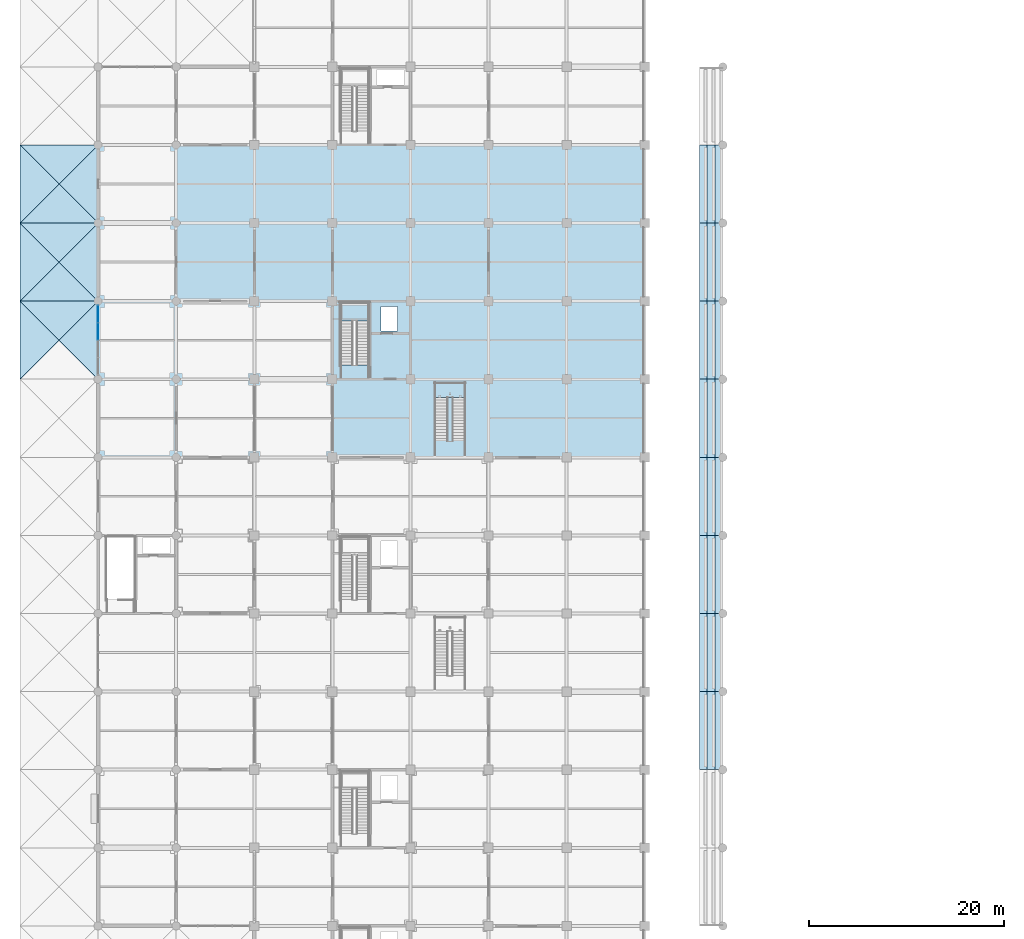
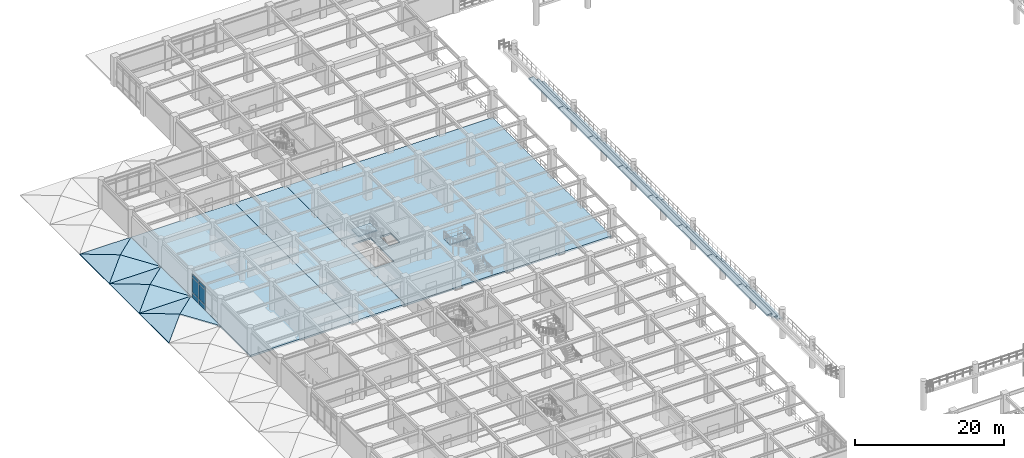
# One storey, part 57 of 109: 40 slabs, 6 plates, 3 elements without a shape of their own.
"""IFC4 building model written with IfcOpenShell, lengths in metres."""

import ifcopenshell
import ifcopenshell.guid

model = None  # the IFC model being written
_history = None  # IfcOwnerHistory: only IFC2X3 demands one
_inside = {}  # id of a spatial element -> (the spatial element, [elements in it])
_under = {}  # id of a project, library or spatial element -> (it, [spatial elements below it])
_declared = {}  # id of a project -> (the project, [libraries it declares])
_typed = {}  # id of a type object -> (the type object, [elements of that type])
_made_of = {}  # id of a material, layer set ... -> (it, [elements and type objects made of it])


def new_model(schema):
    """Start an empty IFC model of exactly this schema.

    Asked for "IFC4X3", IfcOpenShell would pick the latest addendum, in which some entities
    have other attributes; the version numbers below select the first issue.
    IFC2X3 requires an IfcOwnerHistory on every rooted entity: one is made here for all.
    """
    global model, _history
    if schema == "IFC4X3":
        model = ifcopenshell.file(schema_version=(4, 3, 0, 0))
    else:
        model = ifcopenshell.file(schema=schema)
    _inside.clear()
    _under.clear()
    _declared.clear()
    _typed.clear()
    _made_of.clear()
    _history = None
    if model.schema == "IFC2X3":
        org = make("IfcOrganization", Name="unknown")
        user = make(
            "IfcPersonAndOrganization",
            ThePerson=make("IfcPerson", FamilyName="unknown"),
            TheOrganization=org,
        )
        app = make(
            "IfcApplication",
            ApplicationDeveloper=org,
            Version="unknown",
            ApplicationFullName="unknown",
            ApplicationIdentifier="unknown",
        )
        _history = make(
            "IfcOwnerHistory",
            OwningUser=user,
            OwningApplication=app,
            ChangeAction="ADDED",
            CreationDate=0,
        )
    return model


def make(cls, **values):
    """One entity of the class cls with the attributes given. An attribute that is None is left unset."""
    return model.create_entity(
        cls, **{name: value for name, value in values.items() if value is not None}
    )


def rooted(cls, **values):
    """An entity with a GlobalId (a new one), such as an element, a storey or a relation."""
    return make(cls, GlobalId=ifcopenshell.guid.new(), OwnerHistory=_history, **values)


def si_unit(unit_type, name, prefix=None):
    """IfcSIUnit, for example si_unit("LENGTHUNIT", "METRE", prefix="MILLI")."""
    return make("IfcSIUnit", UnitType=unit_type, Prefix=prefix, Name=name)


def assignment(units):
    """IfcUnitAssignment: the units of a project."""
    return None if units is None else make("IfcUnitAssignment", Units=units)


def point(xyz):
    """IfcCartesianPoint."""
    return None if xyz is None else make("IfcCartesianPoint", Coordinates=xyz)


def direction(xyz):
    """IfcDirection."""
    return None if xyz is None else make("IfcDirection", DirectionRatios=xyz)


def frame(location, z_axis=None, x_axis=None):
    """IfcAxis2Placement3D, a coordinate frame: its origin and axes. An axis left out is left unset."""
    return make(
        "IfcAxis2Placement3D",
        Location=point(location),
        Axis=direction(z_axis),
        RefDirection=direction(x_axis),
    )


def frame_2d(location, x_axis=None):
    """IfcAxis2Placement2D, a coordinate frame in the plane: its origin and x axis."""
    return make(
        "IfcAxis2Placement2D", Location=point(location), RefDirection=direction(x_axis)
    )


def origin():
    """The frame at (0, 0, 0) with its axes left unset."""
    return frame((0.0, 0.0, 0.0))


def origin_2d():
    """The frame at (0, 0) in the plane with its x axis left unset."""
    return frame_2d((0.0, 0.0))


def place(relative_to, where):
    """IfcLocalPlacement: puts the frame where relative to a parent placement (None: the world)."""
    return make(
        "IfcLocalPlacement", PlacementRelTo=relative_to, RelativePlacement=where
    )


def context(
    kind, dimensions, precision=None, world=None, true_north=None, identifier=None
):
    """IfcGeometricRepresentationContext, for example the 3D "Model" context."""
    return make(
        "IfcGeometricRepresentationContext",
        ContextIdentifier=identifier,
        ContextType=kind,
        CoordinateSpaceDimension=dimensions,
        Precision=precision,
        WorldCoordinateSystem=world,
        TrueNorth=true_north,
    )


def subcontext(parent, identifier, kind, view, scale=None):
    """IfcGeometricRepresentationSubContext, for example "Body" below "Model"."""
    return make(
        "IfcGeometricRepresentationSubContext",
        ContextIdentifier=identifier,
        ContextType=kind,
        ParentContext=parent,
        TargetScale=scale,
        TargetView=view,
    )


def project(units=None, contexts=None):
    """IfcProject with its units and contexts."""
    return rooted(
        "IfcProject",
        Name="project",
        RepresentationContexts=contexts,
        UnitsInContext=assignment(units),
    )


def spatial(cls, under=None, at=None, **own):
    """A site, building, storey or space (cls), placed at a placement, below another one or the project."""
    s = rooted(cls, ObjectPlacement=at, **own)
    if under is not None:
        _under.setdefault(under.id(), (under, []))[1].append(s)
    return s


def polyline(points):
    """IfcPolyline through the points."""
    return make("IfcPolyline", Points=[point(p) for p in points])


def profile(cls, at=None, kind="AREA", **sizes):
    """A parametric profile (cls). Its sizes go by their IFC names, for example OverallWidth=200.0."""
    return make(cls, ProfileType=kind, Position=at, **sizes)


def rectangle(**sizes):
    """IfcRectangleProfileDef."""
    return profile("IfcRectangleProfileDef", **sizes)


def outline(outer, holes=None, kind="AREA"):
    """IfcArbitraryClosedProfileDef: a profile drawn as a closed curve; with holes, ...WithVoids."""
    if holes is None:
        return make("IfcArbitraryClosedProfileDef", ProfileType=kind, OuterCurve=outer)
    return make(
        "IfcArbitraryProfileDefWithVoids",
        ProfileType=kind,
        OuterCurve=outer,
        InnerCurves=holes,
    )


def extrude(swept, where, along, depth):
    """IfcExtrudedAreaSolid: the profile swept, set in the frame where, extruded along a direction by depth."""
    return make(
        "IfcExtrudedAreaSolid",
        SweptArea=swept,
        Position=where,
        ExtrudedDirection=direction(along),
        Depth=depth,
    )


def shape(context_of_items, identifier, shape_type, items):
    """IfcShapeRepresentation: the items that make up one representation, for example the "Body"."""
    return make(
        "IfcShapeRepresentation",
        ContextOfItems=context_of_items,
        RepresentationIdentifier=identifier,
        RepresentationType=shape_type,
        Items=items,
    )


def material(Name=None, Category=None):
    """IfcMaterial."""
    return make("IfcMaterial", Name=Name, Category=Category)


def layer(
    of_material, thickness, ventilated=None, Name=None, Category=None, Priority=None
):
    """IfcMaterialLayer: one layer of a wall or slab, of a material (None: an air gap)."""
    return make(
        "IfcMaterialLayer",
        Material=of_material,
        LayerThickness=thickness,
        IsVentilated=ventilated,
        Name=Name,
        Category=Category,
        Priority=Priority,
    )


def layer_set(layers, Name=None):
    """IfcMaterialLayerSet."""
    return make("IfcMaterialLayerSet", MaterialLayers=layers, LayerSetName=Name)


def made_of(thing, what):
    """Note that an element or type object is made of a material, layer set ...; save() writes the relation."""
    if what is not None:
        _made_of.setdefault(what.id(), (what, []))[1].append(thing)
    return thing


def type_object(cls, material=None, **own):
    """A type object (cls), such as IfcWallType, which elements share."""
    return made_of(rooted(cls, **own), material)


def element(
    cls,
    number,
    at=None,
    inside=None,
    cuts=None,
    type_object=None,
    material=None,
    context=None,
    identifier="Body",
    shape_type=None,
    held_by="IfcProductDefinitionShape",
    body=None,
    shapes=None,
    **own,
):
    """One element of the class cls, such as IfcWall. Its Tag is "e" and its number.

    at: its placement. inside: the storey or other place that contains it. cuts: it is an
    opening in that element (IfcRelVoidsElement). A single representation is given by context,
    identifier, shape_type and body (its items); several are given by shapes. held_by: the class
    of the entity that holds the representations. save() writes the other relations.
    """
    e = rooted(cls, Tag="e%d" % number, ObjectPlacement=at, **own)
    if body is not None:
        shapes = [shape(context, identifier, shape_type, body)]
    if shapes is not None:
        e.Representation = make(held_by, Representations=shapes)
    if inside is not None:
        _inside.setdefault(inside.id(), (inside, []))[1].append(e)
    if cuts is not None:
        rooted(
            "IfcRelVoidsElement", RelatingBuildingElement=cuts, RelatedOpeningElement=e
        )
    if type_object is not None:
        _typed.setdefault(type_object.id(), (type_object, []))[1].append(e)
    return made_of(e, material)


def aggregate(whole, parts):
    """IfcRelAggregates: a whole, such as a stair, and the parts it consists of."""
    return rooted("IfcRelAggregates", RelatingObject=whole, RelatedObjects=parts)


def save(model, path):
    """Write the relations noted so far, then the file.

    IfcRelAggregates (storeys below a building ...), IfcRelContainedInSpatialStructure (elements
    in a storey), IfcRelDefinesByType, IfcRelAssociatesMaterial and IfcRelDeclares: one each for
    every whole, place, type object, material and project.
    """
    for whole, parts in _under.values():
        aggregate(whole, parts)
    for where, things in _inside.values():
        rooted(
            "IfcRelContainedInSpatialStructure",
            RelatedElements=things,
            RelatingStructure=where,
        )
    for kind, things in _typed.values():
        rooted("IfcRelDefinesByType", RelatedObjects=things, RelatingType=kind)
    for what, things in _made_of.values():
        rooted("IfcRelAssociatesMaterial", RelatedObjects=things, RelatingMaterial=what)
    for by, libraries in _declared.values():
        rooted("IfcRelDeclares", RelatingContext=by, RelatedDefinitions=libraries)
    model.write(path)


model = new_model("IFC4")

# Units and contexts
model_context = context("Model", 3, precision=1e-05, world=origin(), true_north=direction((0.0, 1.0)))
body_context = subcontext(model_context, "Body", "Model", "MODEL_VIEW")
ifc_project = project(units=[si_unit("LENGTHUNIT", "METRE"), si_unit("AREAUNIT", "SQUARE_METRE"), si_unit("VOLUMEUNIT", "CUBIC_METRE"), si_unit("PLANEANGLEUNIT", "RADIAN"), si_unit("MASSUNIT", "GRAM", prefix="KILO")], contexts=[model_context])

# Site, building, storey
site_placement = place(None, origin())
site = spatial("IfcSite", under=ifc_project, at=site_placement, CompositionType="ELEMENT")
building_placement = place(site_placement, origin())
building = spatial("IfcBuilding", under=site, at=building_placement, Name="Haebicheon Civic Stadium", CompositionType="ELEMENT")
storey_placement = place(building_placement, frame((0.0, 0.0, 9.60009765625)))
storey = spatial("IfcBuildingStorey", under=building, at=storey_placement, Name="L03", CompositionType="ELEMENT", Elevation=9.60009765625)

# Curtain wall, plates
ifc_material_1 = material(Name="Anodised aluminium and laminated glass", Category="aluminium")
ifc_layer_1 = layer(ifc_material_1, 0.179931640625, Name="Anodised aluminium and laminated glass")
ifc_layer_set_1 = layer_set([ifc_layer_1], Name="Anodised aluminium and laminated glass")
curtain_wall_type = type_object("IfcCurtainWallType", Name="CW-7150x3950", PredefinedType="NOTDEFINED", material=ifc_layer_set_1)
curtain_wall_placement = place(storey_placement, origin())
curtain_wall = element("IfcCurtainWall", 1, at=curtain_wall_placement, inside=storey, type_object=curtain_wall_type, material=ifc_layer_set_1, Name="L03 unitised curtain wall 070", PredefinedType="NOTDEFINED")
ifc_material_2 = material(Name="Double low-e laminated glass", Category="glass")
ifc_layer_2 = layer(ifc_material_2, 0.028076171875, Name="Double low-e laminated glass")
ifc_layer_set_2 = layer_set([ifc_layer_2], Name="Double low-e laminated glass")
plate_type_1 = type_object("IfcPlateType", Name="CWP-GLZ-28", PredefinedType="CURTAIN_PANEL", material=ifc_layer_set_2)
plate_1_placement = place(storey_placement, frame((8.0, 108.89404296875, 0.93505859375), z_axis=(0.0, 0.0, 1.0), x_axis=(0.0, 1.0, 0.0)))
plate_1 = element("IfcPlate", 2, at=plate_1_placement, type_object=plate_type_1, material=ifc_layer_set_2, Name="CW-L03-070 vision panel 3.2", PredefinedType="CURTAIN_PANEL", context=body_context, shape_type="SweptSolid", body=[
    extrude(rectangle(XDim=1.718017578125, YDim=0.028076171875, at=origin_2d()), origin(), (0.0, 0.0, 1.0), 2.429931640625),
])
plate_2_placement = place(storey_placement, frame((8.0, 110.6640625, 0.93505859375), z_axis=(0.0, 0.0, 1.0), x_axis=(0.0, 1.0, 0.0)))
plate_2 = element("IfcPlate", 3, at=plate_2_placement, type_object=plate_type_1, material=ifc_layer_set_2, Name="CW-L03-070 vision panel 4.2", PredefinedType="CURTAIN_PANEL", context=body_context, shape_type="SweptSolid", body=[
    extrude(rectangle(XDim=1.681884765625, YDim=0.028076171875, at=origin_2d()), origin(), (0.0, 0.0, 1.0), 2.429931640625),
])
ifc_material_3 = material(Name="Anodised aluminium 6063-T6", Category="aluminium")
ifc_layer_3 = layer(ifc_material_3, 0.0439453125, Name="Anodised aluminium 6063-T6")
ifc_layer_set_3 = layer_set([ifc_layer_3], Name="Anodised aluminium 6063-T6")
plate_type_2 = type_object("IfcPlateType", Name="CWP-SPD-44", PredefinedType="CURTAIN_PANEL", material=ifc_layer_set_3)
plate_3_placement = place(storey_placement, frame((8.0, 108.89404296875, 0.034912109375), z_axis=(0.0, 0.0, 1.0), x_axis=(0.0, 1.0, 0.0)))
plate_3 = element("IfcPlate", 4, at=plate_3_placement, type_object=plate_type_2, material=ifc_layer_set_3, Name="CW-L03-070 spandrel panel 3.1", PredefinedType="CURTAIN_PANEL", context=body_context, shape_type="SweptSolid", body=[
    extrude(rectangle(XDim=1.718017578125, YDim=0.0439453125, at=origin_2d()), origin(), (0.0, 0.0, 1.0), 0.830078125),
])
plate_4_placement = place(storey_placement, frame((8.0, 108.89404296875, 3.434814453125), z_axis=(0.0, 0.0, 1.0), x_axis=(0.0, 1.0, 0.0)))
plate_4 = element("IfcPlate", 5, at=plate_4_placement, type_object=plate_type_2, material=ifc_layer_set_3, Name="CW-L03-070 spandrel panel 3.3", PredefinedType="CURTAIN_PANEL", context=body_context, shape_type="SweptSolid", body=[
    extrude(rectangle(XDim=1.718017578125, YDim=0.0439453125, at=origin_2d()), origin(), (0.0, 0.0, 1.0), 0.47998046875),
])
plate_5_placement = place(storey_placement, frame((8.0, 110.6640625, 0.034912109375), z_axis=(0.0, 0.0, 1.0), x_axis=(0.0, 1.0, 0.0)))
plate_5 = element("IfcPlate", 6, at=plate_5_placement, type_object=plate_type_2, material=ifc_layer_set_3, Name="CW-L03-070 spandrel panel 4.1", PredefinedType="CURTAIN_PANEL", context=body_context, shape_type="SweptSolid", body=[
    extrude(rectangle(XDim=1.681884765625, YDim=0.0439453125, at=origin_2d()), origin(), (0.0, 0.0, 1.0), 0.830078125),
])
plate_6_placement = place(storey_placement, frame((8.0, 110.6640625, 3.434814453125), z_axis=(0.0, 0.0, 1.0), x_axis=(0.0, 1.0, 0.0)))
plate_6 = element("IfcPlate", 7, at=plate_6_placement, type_object=plate_type_2, material=ifc_layer_set_3, Name="CW-L03-070 spandrel panel 4.3", PredefinedType="CURTAIN_PANEL", context=body_context, shape_type="SweptSolid", body=[
    extrude(rectangle(XDim=1.681884765625, YDim=0.0439453125, at=origin_2d()), origin(), (0.0, 0.0, 1.0), 0.47998046875),
])
aggregate(curtain_wall, [plate_3, plate_1, plate_4, plate_5, plate_2, plate_6])

# Slabs
ifc_material_4 = material(Name="Concrete C40/50", Category="concrete")
ifc_layer_4 = layer(ifc_material_4, 0.280029296875, Name="Concrete C40/50")
ifc_layer_set_4 = layer_set([ifc_layer_4], Name="Concrete C40/50")
slab_type_1 = type_object("IfcSlabType", Name="SLB-FLR-280", PredefinedType="FLOOR", material=ifc_layer_set_4)
slab_1_placement = place(storey_placement, frame((0.0, 0.0, -0.280029296875)))
element("IfcSlab", 8, at=slab_1_placement, inside=storey, type_object=slab_type_1, material=ifc_layer_set_4, Name="L03 V1 structural slab 3.1", PredefinedType="FLOOR", context=body_context, shape_type="SweptSolid", body=[
    extrude(outline(polyline([(24.0, 96.0), (24.0, 104.0), (24.0, 112.0), (24.0, 120.0), (24.0, 128.0), (32.0, 128.0), (32.0, 120.0), (32.0, 112.0), (32.0, 104.0), (32.0, 96.0), (24.0, 96.0)])), origin(), (0.0, 0.0, 1.0), 0.280029296875),
])
slab_2_placement = place(storey_placement, frame((0.0, 0.0, -0.280029296875)))
element("IfcSlab", 9, at=slab_2_placement, inside=storey, type_object=slab_type_1, material=ifc_layer_set_4, Name="L03 V1 structural slab 7.1", PredefinedType="FLOOR", context=body_context, shape_type="SweptSolid", body=[
    extrude(outline(polyline([(32.0, 120.0), (32.0, 128.0), (40.0, 128.0), (48.0, 128.0), (56.0, 128.0), (64.0, 128.0), (64.0, 120.0), (64.0, 112.0), (64.0, 104.0), (64.0, 96.0), (56.0, 96.0), (48.0, 96.0), (40.0, 96.0), (32.0, 96.0), (32.0, 104.0), (32.0, 112.0), (32.0, 120.0)]), holes=[polyline([(32.840087890625, 105.4599609375), (35.739990234375, 105.4599609375), (35.739990234375, 111.840087890625), (32.840087890625, 111.840087890625), (32.840087890625, 105.4599609375)]), polyline([(36.969970703125, 108.929931640625), (38.669921875, 108.929931640625), (38.669921875, 111.429931640625), (36.969970703125, 111.429931640625), (36.969970703125, 108.929931640625)])]), origin(), (0.0, 0.0, 1.0), 0.280029296875),
])
slab_3_placement = place(storey_placement, frame((0.0, 0.0, -0.280029296875)))
element("IfcSlab", 10, at=slab_3_placement, inside=storey, type_object=slab_type_1, material=ifc_layer_set_4, Name="L03 V5 structural slab 3.1", PredefinedType="FLOOR", context=body_context, shape_type="SweptSolid", body=[
    extrude(outline(polyline([(8.0, 112.0), (8.0, 120.0), (8.0, 128.0), (16.0, 128.0), (24.0, 128.0), (24.0, 120.0), (24.0, 112.0), (24.0, 104.0), (24.0, 96.0), (16.0, 96.0), (8.0, 96.0), (8.0, 104.0), (8.0, 112.0)])), origin(), (0.0, 0.0, 1.0), 0.280029296875),
])

# Stair, slab
ifc_material_5 = material(Name="Concrete C40/50", Category="concrete")
stair_type_1 = type_object("IfcStairType", Name="STR-DL-W128-H48", PredefinedType="HALF_TURN_STAIR", material=ifc_material_5)
stair_1_placement = place(storey_placement, origin())
stair_1 = element("IfcStair", 11, at=stair_1_placement, inside=storey, type_object=stair_type_1, material=ifc_material_5, Name="L03 Escape stair ST-04", PredefinedType="HALF_TURN_STAIR")
ifc_material_6 = material(Name="Concrete C40/50", Category="concrete")
ifc_layer_5 = layer(ifc_material_6, 0.199951171875, Name="Concrete C40/50")
ifc_layer_set_5 = layer_set([ifc_layer_5], Name="Concrete C40/50")
slab_type_2 = type_object("IfcSlabType", Name="SLB-LND-200", PredefinedType="LANDING", material=ifc_layer_set_5)
slab_4_placement = place(storey_placement, frame((0.0, 0.0, 2.199951171875)))
slab_4 = element("IfcSlab", 12, at=slab_4_placement, type_object=slab_type_2, material=ifc_layer_set_5, Name="ST-04 landing 1", PredefinedType="LANDING", context=body_context, shape_type="SweptSolid", body=[
    extrude(outline(polyline([(35.739990234375, 109.949951171875), (35.739990234375, 111.840087890625), (32.840087890625, 111.840087890625), (32.840087890625, 109.949951171875), (35.739990234375, 109.949951171875)])), origin(), (0.0, 0.0, 1.0), 0.199951171875),
])
aggregate(stair_1, [slab_4])

ifc_material_7 = material(Name="Concrete C40/50", Category="concrete")
stair_type_2 = type_object("IfcStairType", Name="STR-DL-W136-H48", PredefinedType="HALF_TURN_STAIR", material=ifc_material_7)
stair_2_placement = place(storey_placement, origin())
stair_2 = element("IfcStair", 13, at=stair_2_placement, inside=storey, type_object=stair_type_2, material=ifc_material_7, Name="Vomitory stair VM-05 (L03)", PredefinedType="HALF_TURN_STAIR")
slab_5_placement = place(storey_placement, frame((0.0, 0.0, 2.199951171875)))
slab_5 = element("IfcSlab", 14, at=slab_5_placement, type_object=slab_type_2, material=ifc_layer_set_5, Name="VM-05 landing 1", PredefinedType="LANDING", context=body_context, shape_type="SweptSolid", body=[
    extrude(outline(polyline([(45.639892578125, 102.14990234375), (45.639892578125, 103.64990234375), (42.4599609375, 103.64990234375), (42.4599609375, 102.14990234375), (45.639892578125, 102.14990234375)])), origin(), (0.0, 0.0, 1.0), 0.199951171875),
])
aggregate(stair_2, [slab_5])

# Slabs
ifc_material_8 = material(Name="Precast concrete C40/50", Category="concrete")
ifc_layer_6 = layer(ifc_material_8, 0.169921875, Name="Precast concrete C40/50")
ifc_layer_set_6 = layer_set([ifc_layer_6], Name="Precast concrete C40/50")
slab_type_3 = type_object("IfcSlabType", Name="SLB-ROOF-170", PredefinedType="ROOF", material=ifc_layer_set_6)
for number, where, z_axis, x_axis, name in (
    (15, (8.0, 104.0, 0.02001953125), (0.21948952406, 0.0, 0.97561485681), (0.0, 1.0, 0.0), "L03 V5 folded shell roof facet 9.E"),
    (16, (8.0, 112.0, 0.02001953125), (0.0, 0.21948952406, 0.97561485681), (-1.0, 0.0, 0.0), "L03 V5 folded shell roof facet 9.N"),
    (17, (0.0, 112.0, 0.02001953125), (-0.21948952406, 0.0, 0.97561485681), (0.0, -1.0, 0.0), "L03 V5 folded shell roof facet 9.W"),
    (18, (0.0, 112.0, 0.02001953125), (0.0, -0.21948952406, 0.97561485681), (1.0, 0.0, 0.0), "L03 V5 folded shell roof facet 10.S"),
    (19, (8.0, 112.0, 0.02001953125), (0.21948952406, 0.0, 0.97561485681), (0.0, 1.0, 0.0), "L03 V5 folded shell roof facet 10.E"),
    (20, (8.0, 120.0, 0.02001953125), (0.0, 0.21948952406, 0.97561485681), (-1.0, 0.0, 0.0), "L03 V5 folded shell roof facet 10.N"),
    (21, (0.0, 120.0, 0.02001953125), (-0.21948952406, 0.0, 0.97561485681), (0.0, -1.0, 0.0), "L03 V5 folded shell roof facet 10.W"),
    (22, (0.0, 120.0, 0.02001953125), (0.0, -0.21948952406, 0.97561485681), (1.0, 0.0, 0.0), "L03 V5 folded shell roof facet 11.S"),
    (23, (8.0, 120.0, 0.02001953125), (0.21948952406, 0.0, 0.97561485681), (0.0, 1.0, 0.0), "L03 V5 folded shell roof facet 11.E"),
    (24, (8.0, 128.0, 0.02001953125), (0.0, 0.21948952406, 0.97561485681), (-1.0, 0.0, 0.0), "L03 V5 folded shell roof facet 11.N"),
    (25, (0.0, 128.0, 0.02001953125), (-0.21948952406, 0.0, 0.97561485681), (0.0, -1.0, 0.0), "L03 V5 folded shell roof facet 11.W"),
):
    element("IfcSlab", number, at=place(storey_placement, frame(where, z_axis=z_axis, x_axis=x_axis)), inside=storey, type_object=slab_type_3, material=ifc_layer_set_6, Name=name, PredefinedType="ROOF", context=body_context, shape_type="SweptSolid", body=[
        extrude(outline(polyline([(0.0, 0.0), (8.0, 0.0), (4.0, 4.099978564369178), (0.0, 0.0)])), origin(), (0.0, 0.0, -1.0), 0.169921875),
    ])
ifc_material_9 = material(Name="Precast concrete C40/50", Category="concrete")
ifc_layer_7 = layer(ifc_material_9, 0.239990234375, Name="Precast concrete C40/50")
ifc_layer_set_7 = layer_set([ifc_layer_7], Name="Precast concrete C40/50")
slab_type_4 = type_object("IfcSlabType", Name="SLB-TIER-240", PredefinedType="USERDEFINED", material=ifc_layer_set_7)
slab_6_placement = place(storey_placement, frame((0.0, 0.0, 2.9599609375)))
element("IfcSlab", 26, at=slab_6_placement, inside=storey, type_object=slab_type_4, material=ifc_layer_set_7, Name="TIER-W-U precast seating tier bay 3 row-band 1", ObjectType="SEATING TIER", PredefinedType="USERDEFINED", context=body_context, shape_type="SweptSolid", body=[
    extrude(outline(polyline([(71.199951171875, 64.0), (72.0, 64.0), (72.0, 72.0), (71.199951171875, 72.0), (71.199951171875, 64.0)])), origin(), (0.0, 0.0, 1.0), 0.239990234375),
])
slab_7_placement = place(storey_placement, frame((0.0, 0.0, 3.60400390625)))
element("IfcSlab", 27, at=slab_7_placement, inside=storey, type_object=slab_type_4, material=ifc_layer_set_7, Name="TIER-W-U precast seating tier bay 3 row-band 2", ObjectType="SEATING TIER", PredefinedType="USERDEFINED", context=body_context, shape_type="SweptSolid", body=[
    extrude(outline(polyline([(70.39990234375, 64.0), (71.199951171875, 64.0), (71.199951171875, 72.0), (70.39990234375, 72.0), (70.39990234375, 64.0)])), origin(), (0.0, 0.0, 1.0), 0.239990234375),
])
slab_8_placement = place(storey_placement, frame((0.0, 0.0, 4.2490234375)))
element("IfcSlab", 28, at=slab_8_placement, inside=storey, type_object=slab_type_4, material=ifc_layer_set_7, Name="TIER-W-U precast seating tier bay 3 row-band 3", ObjectType="SEATING TIER", PredefinedType="USERDEFINED", context=body_context, shape_type="SweptSolid", body=[
    extrude(outline(polyline([(69.60009765625, 64.0), (70.39990234375, 64.0), (70.39990234375, 72.0), (69.60009765625, 72.0), (69.60009765625, 64.0)])), origin(), (0.0, 0.0, 1.0), 0.239990234375),
])
slab_9_placement = place(storey_placement, frame((0.0, 0.0, 2.9599609375)))
element("IfcSlab", 29, at=slab_9_placement, inside=storey, type_object=slab_type_4, material=ifc_layer_set_7, Name="TIER-W-U precast seating tier bay 4 row-band 1", ObjectType="SEATING TIER", PredefinedType="USERDEFINED", context=body_context, shape_type="SweptSolid", body=[
    extrude(outline(polyline([(71.199951171875, 72.0), (72.0, 72.0), (72.0, 80.0), (71.199951171875, 80.0), (71.199951171875, 72.0)])), origin(), (0.0, 0.0, 1.0), 0.239990234375),
])
slab_10_placement = place(storey_placement, frame((0.0, 0.0, 3.60400390625)))
element("IfcSlab", 30, at=slab_10_placement, inside=storey, type_object=slab_type_4, material=ifc_layer_set_7, Name="TIER-W-U precast seating tier bay 4 row-band 2", ObjectType="SEATING TIER", PredefinedType="USERDEFINED", context=body_context, shape_type="SweptSolid", body=[
    extrude(outline(polyline([(70.39990234375, 72.0), (71.199951171875, 72.0), (71.199951171875, 80.0), (70.39990234375, 80.0), (70.39990234375, 72.0)])), origin(), (0.0, 0.0, 1.0), 0.239990234375),
])
slab_11_placement = place(storey_placement, frame((0.0, 0.0, 4.2490234375)))
element("IfcSlab", 31, at=slab_11_placement, inside=storey, type_object=slab_type_4, material=ifc_layer_set_7, Name="TIER-W-U precast seating tier bay 4 row-band 3", ObjectType="SEATING TIER", PredefinedType="USERDEFINED", context=body_context, shape_type="SweptSolid", body=[
    extrude(outline(polyline([(69.60009765625, 72.0), (70.39990234375, 72.0), (70.39990234375, 80.0), (69.60009765625, 80.0), (69.60009765625, 72.0)])), origin(), (0.0, 0.0, 1.0), 0.239990234375),
])
slab_12_placement = place(storey_placement, frame((0.0, 0.0, 2.9599609375)))
element("IfcSlab", 32, at=slab_12_placement, inside=storey, type_object=slab_type_4, material=ifc_layer_set_7, Name="TIER-W-U precast seating tier bay 5 row-band 1", ObjectType="SEATING TIER", PredefinedType="USERDEFINED", context=body_context, shape_type="SweptSolid", body=[
    extrude(outline(polyline([(71.199951171875, 80.0), (72.0, 80.0), (72.0, 88.0), (71.199951171875, 88.0), (71.199951171875, 80.0)])), origin(), (0.0, 0.0, 1.0), 0.239990234375),
])
slab_13_placement = place(storey_placement, frame((0.0, 0.0, 3.60400390625)))
element("IfcSlab", 33, at=slab_13_placement, inside=storey, type_object=slab_type_4, material=ifc_layer_set_7, Name="TIER-W-U precast seating tier bay 5 row-band 2", ObjectType="SEATING TIER", PredefinedType="USERDEFINED", context=body_context, shape_type="SweptSolid", body=[
    extrude(outline(polyline([(70.39990234375, 80.0), (71.199951171875, 80.0), (71.199951171875, 88.0), (70.39990234375, 88.0), (70.39990234375, 80.0)])), origin(), (0.0, 0.0, 1.0), 0.239990234375),
])
slab_14_placement = place(storey_placement, frame((0.0, 0.0, 4.2490234375)))
element("IfcSlab", 34, at=slab_14_placement, inside=storey, type_object=slab_type_4, material=ifc_layer_set_7, Name="TIER-W-U precast seating tier bay 5 row-band 3", ObjectType="SEATING TIER", PredefinedType="USERDEFINED", context=body_context, shape_type="SweptSolid", body=[
    extrude(outline(polyline([(69.60009765625, 80.0), (70.39990234375, 80.0), (70.39990234375, 88.0), (69.60009765625, 88.0), (69.60009765625, 80.0)])), origin(), (0.0, 0.0, 1.0), 0.239990234375),
])
slab_15_placement = place(storey_placement, frame((0.0, 0.0, 2.9599609375)))
element("IfcSlab", 35, at=slab_15_placement, inside=storey, type_object=slab_type_4, material=ifc_layer_set_7, Name="TIER-W-U precast seating tier bay 6 row-band 1", ObjectType="SEATING TIER", PredefinedType="USERDEFINED", context=body_context, shape_type="SweptSolid", body=[
    extrude(outline(polyline([(71.199951171875, 88.0), (72.0, 88.0), (72.0, 96.0), (71.199951171875, 96.0), (71.199951171875, 88.0)])), origin(), (0.0, 0.0, 1.0), 0.239990234375),
])
slab_16_placement = place(storey_placement, frame((0.0, 0.0, 3.60400390625)))
element("IfcSlab", 36, at=slab_16_placement, inside=storey, type_object=slab_type_4, material=ifc_layer_set_7, Name="TIER-W-U precast seating tier bay 6 row-band 2", ObjectType="SEATING TIER", PredefinedType="USERDEFINED", context=body_context, shape_type="SweptSolid", body=[
    extrude(outline(polyline([(70.39990234375, 88.0), (71.199951171875, 88.0), (71.199951171875, 96.0), (70.39990234375, 96.0), (70.39990234375, 88.0)])), origin(), (0.0, 0.0, 1.0), 0.239990234375),
])
slab_17_placement = place(storey_placement, frame((0.0, 0.0, 4.2490234375)))
element("IfcSlab", 37, at=slab_17_placement, inside=storey, type_object=slab_type_4, material=ifc_layer_set_7, Name="TIER-W-U precast seating tier bay 6 row-band 3", ObjectType="SEATING TIER", PredefinedType="USERDEFINED", context=body_context, shape_type="SweptSolid", body=[
    extrude(outline(polyline([(69.60009765625, 88.0), (70.39990234375, 88.0), (70.39990234375, 96.0), (69.60009765625, 96.0), (69.60009765625, 88.0)])), origin(), (0.0, 0.0, 1.0), 0.239990234375),
])
slab_18_placement = place(storey_placement, frame((0.0, 0.0, 2.9599609375)))
element("IfcSlab", 38, at=slab_18_placement, inside=storey, type_object=slab_type_4, material=ifc_layer_set_7, Name="TIER-W-U precast seating tier bay 7 row-band 1", ObjectType="SEATING TIER", PredefinedType="USERDEFINED", context=body_context, shape_type="SweptSolid", body=[
    extrude(outline(polyline([(71.199951171875, 96.0), (72.0, 96.0), (72.0, 104.0), (71.199951171875, 104.0), (71.199951171875, 96.0)])), origin(), (0.0, 0.0, 1.0), 0.239990234375),
])
slab_19_placement = place(storey_placement, frame((0.0, 0.0, 3.60400390625)))
element("IfcSlab", 39, at=slab_19_placement, inside=storey, type_object=slab_type_4, material=ifc_layer_set_7, Name="TIER-W-U precast seating tier bay 7 row-band 2", ObjectType="SEATING TIER", PredefinedType="USERDEFINED", context=body_context, shape_type="SweptSolid", body=[
    extrude(outline(polyline([(70.39990234375, 96.0), (71.199951171875, 96.0), (71.199951171875, 104.0), (70.39990234375, 104.0), (70.39990234375, 96.0)])), origin(), (0.0, 0.0, 1.0), 0.239990234375),
])
slab_20_placement = place(storey_placement, frame((0.0, 0.0, 4.2490234375)))
element("IfcSlab", 40, at=slab_20_placement, inside=storey, type_object=slab_type_4, material=ifc_layer_set_7, Name="TIER-W-U precast seating tier bay 7 row-band 3", ObjectType="SEATING TIER", PredefinedType="USERDEFINED", context=body_context, shape_type="SweptSolid", body=[
    extrude(outline(polyline([(69.60009765625, 96.0), (70.39990234375, 96.0), (70.39990234375, 104.0), (69.60009765625, 104.0), (69.60009765625, 96.0)])), origin(), (0.0, 0.0, 1.0), 0.239990234375),
])
slab_21_placement = place(storey_placement, frame((0.0, 0.0, 2.9599609375)))
element("IfcSlab", 41, at=slab_21_placement, inside=storey, type_object=slab_type_4, material=ifc_layer_set_7, Name="TIER-W-U precast seating tier bay 8 row-band 1", ObjectType="SEATING TIER", PredefinedType="USERDEFINED", context=body_context, shape_type="SweptSolid", body=[
    extrude(outline(polyline([(71.199951171875, 104.0), (72.0, 104.0), (72.0, 112.0), (71.199951171875, 112.0), (71.199951171875, 104.0)])), origin(), (0.0, 0.0, 1.0), 0.239990234375),
])
slab_22_placement = place(storey_placement, frame((0.0, 0.0, 3.60400390625)))
element("IfcSlab", 42, at=slab_22_placement, inside=storey, type_object=slab_type_4, material=ifc_layer_set_7, Name="TIER-W-U precast seating tier bay 8 row-band 2", ObjectType="SEATING TIER", PredefinedType="USERDEFINED", context=body_context, shape_type="SweptSolid", body=[
    extrude(outline(polyline([(70.39990234375, 104.0), (71.199951171875, 104.0), (71.199951171875, 112.0), (70.39990234375, 112.0), (70.39990234375, 104.0)])), origin(), (0.0, 0.0, 1.0), 0.239990234375),
])
slab_23_placement = place(storey_placement, frame((0.0, 0.0, 4.2490234375)))
element("IfcSlab", 43, at=slab_23_placement, inside=storey, type_object=slab_type_4, material=ifc_layer_set_7, Name="TIER-W-U precast seating tier bay 8 row-band 3", ObjectType="SEATING TIER", PredefinedType="USERDEFINED", context=body_context, shape_type="SweptSolid", body=[
    extrude(outline(polyline([(69.60009765625, 104.0), (70.39990234375, 104.0), (70.39990234375, 112.0), (69.60009765625, 112.0), (69.60009765625, 104.0)])), origin(), (0.0, 0.0, 1.0), 0.239990234375),
])
slab_24_placement = place(storey_placement, frame((0.0, 0.0, 2.9599609375)))
element("IfcSlab", 44, at=slab_24_placement, inside=storey, type_object=slab_type_4, material=ifc_layer_set_7, Name="TIER-W-U precast seating tier bay 9 row-band 1", ObjectType="SEATING TIER", PredefinedType="USERDEFINED", context=body_context, shape_type="SweptSolid", body=[
    extrude(outline(polyline([(71.199951171875, 112.0), (72.0, 112.0), (72.0, 120.0), (71.199951171875, 120.0), (71.199951171875, 112.0)])), origin(), (0.0, 0.0, 1.0), 0.239990234375),
])
slab_25_placement = place(storey_placement, frame((0.0, 0.0, 3.60400390625)))
element("IfcSlab", 45, at=slab_25_placement, inside=storey, type_object=slab_type_4, material=ifc_layer_set_7, Name="TIER-W-U precast seating tier bay 9 row-band 2", ObjectType="SEATING TIER", PredefinedType="USERDEFINED", context=body_context, shape_type="SweptSolid", body=[
    extrude(outline(polyline([(70.39990234375, 112.0), (71.199951171875, 112.0), (71.199951171875, 120.0), (70.39990234375, 120.0), (70.39990234375, 112.0)])), origin(), (0.0, 0.0, 1.0), 0.239990234375),
])
slab_26_placement = place(storey_placement, frame((0.0, 0.0, 4.2490234375)))
element("IfcSlab", 46, at=slab_26_placement, inside=storey, type_object=slab_type_4, material=ifc_layer_set_7, Name="TIER-W-U precast seating tier bay 9 row-band 3", ObjectType="SEATING TIER", PredefinedType="USERDEFINED", context=body_context, shape_type="SweptSolid", body=[
    extrude(outline(polyline([(69.60009765625, 112.0), (70.39990234375, 112.0), (70.39990234375, 120.0), (69.60009765625, 120.0), (69.60009765625, 112.0)])), origin(), (0.0, 0.0, 1.0), 0.239990234375),
])
slab_27_placement = place(storey_placement, frame((0.0, 0.0, 2.9599609375)))
element("IfcSlab", 47, at=slab_27_placement, inside=storey, type_object=slab_type_4, material=ifc_layer_set_7, Name="TIER-W-U precast seating tier bay 10 row-band 1", ObjectType="SEATING TIER", PredefinedType="USERDEFINED", context=body_context, shape_type="SweptSolid", body=[
    extrude(outline(polyline([(71.199951171875, 120.0), (72.0, 120.0), (72.0, 128.0), (71.199951171875, 128.0), (71.199951171875, 120.0)])), origin(), (0.0, 0.0, 1.0), 0.239990234375),
])
slab_28_placement = place(storey_placement, frame((0.0, 0.0, 3.60400390625)))
element("IfcSlab", 48, at=slab_28_placement, inside=storey, type_object=slab_type_4, material=ifc_layer_set_7, Name="TIER-W-U precast seating tier bay 10 row-band 2", ObjectType="SEATING TIER", PredefinedType="USERDEFINED", context=body_context, shape_type="SweptSolid", body=[
    extrude(outline(polyline([(70.39990234375, 120.0), (71.199951171875, 120.0), (71.199951171875, 128.0), (70.39990234375, 128.0), (70.39990234375, 120.0)])), origin(), (0.0, 0.0, 1.0), 0.239990234375),
])
slab_29_placement = place(storey_placement, frame((0.0, 0.0, 4.2490234375)))
element("IfcSlab", 49, at=slab_29_placement, inside=storey, type_object=slab_type_4, material=ifc_layer_set_7, Name="TIER-W-U precast seating tier bay 10 row-band 3", ObjectType="SEATING TIER", PredefinedType="USERDEFINED", context=body_context, shape_type="SweptSolid", body=[
    extrude(outline(polyline([(69.60009765625, 120.0), (70.39990234375, 120.0), (70.39990234375, 128.0), (69.60009765625, 128.0), (69.60009765625, 120.0)])), origin(), (0.0, 0.0, 1.0), 0.239990234375),
])

save(model, "model.ifc")
